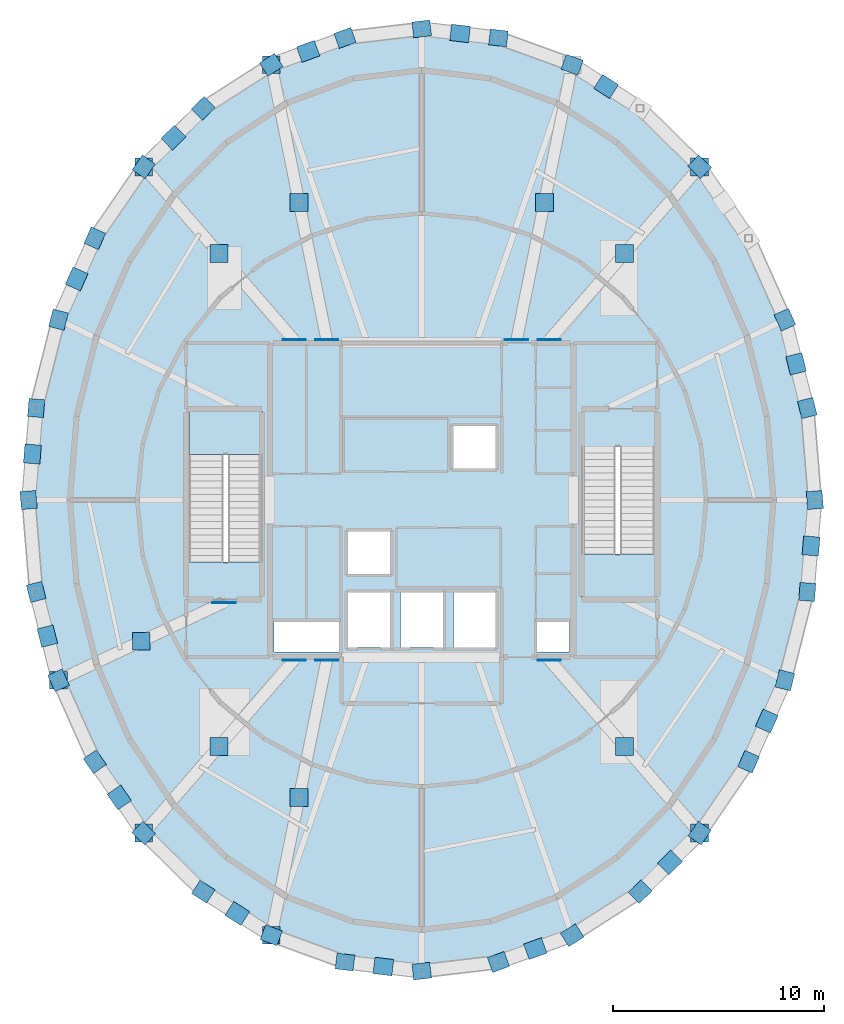
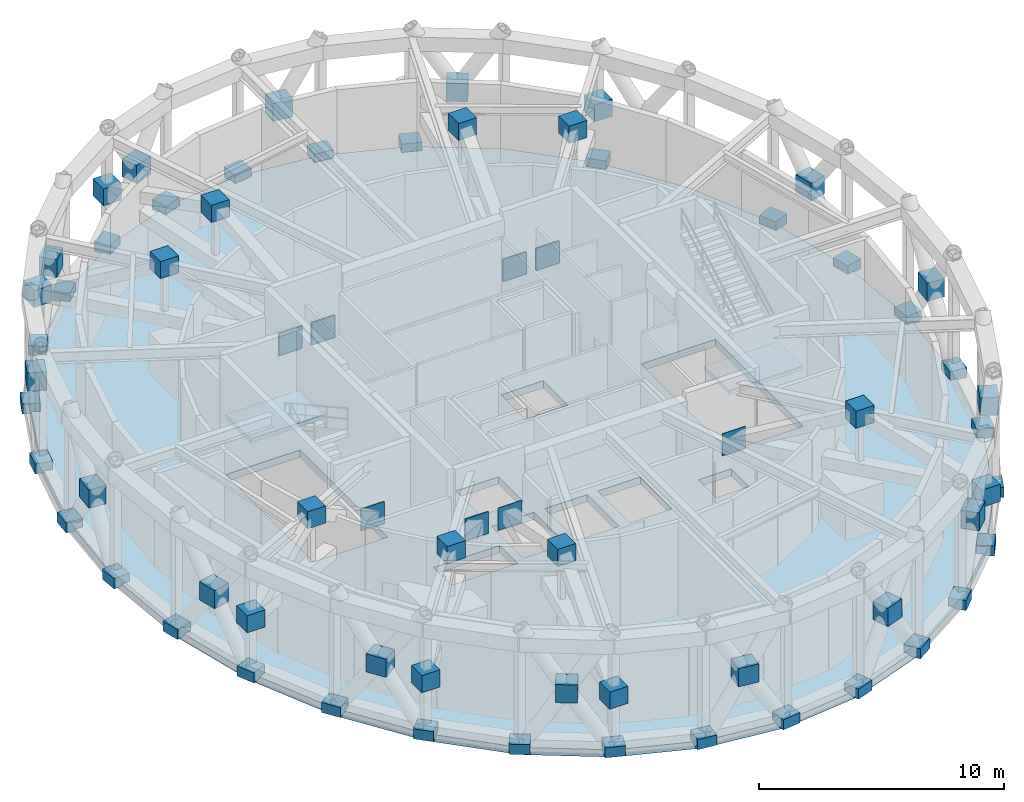
# One storey, part 5 of 11: 68 plates, 3 slabs, 2 elements without a shape of their own.
"""IFC4 building model written with IfcOpenShell, lengths in metres."""

from ifc_helpers import new_model, si_unit, direction, frame, origin, origin_2d, place, context, subcontext, project, spatial, polyline, rectangle, outline, extrude, material, layer, layer_set, type_object, element, aggregate, save


model = new_model("IFC4")

# Units and contexts
model_context = context("Model", 3, precision=1e-05, world=origin(), true_north=direction((0.0, 1.0)))
body_context = subcontext(model_context, "Body", "Model", "MODEL_VIEW")
ifc_project = project(units=[si_unit("LENGTHUNIT", "METRE"), si_unit("AREAUNIT", "SQUARE_METRE"), si_unit("VOLUMEUNIT", "CUBIC_METRE"), si_unit("PLANEANGLEUNIT", "RADIAN"), si_unit("MASSUNIT", "GRAM", prefix="KILO")], contexts=[model_context])

# Site, building, storey
site_placement = place(None, origin())
site = spatial("IfcSite", under=ifc_project, at=site_placement, CompositionType="ELEMENT")
building_placement = place(site_placement, origin())
building = spatial("IfcBuilding", under=site, at=building_placement, Name="Veldorina Hangang Commons", CompositionType="ELEMENT")
storey_placement = place(building_placement, frame((0.0, 0.0, 302.39990234375)))
storey = spatial("IfcBuildingStorey", under=building, at=storey_placement, Name="L79", CompositionType="ELEMENT", Elevation=302.39990234375)

# Plates
ifc_material_1 = material(Name="Steel SM490-TMC", Category="steel")
ifc_layer_1 = layer(ifc_material_1, 0.044921875)
ifc_layer_set_1 = layer_set([ifc_layer_1], Name="Steel SM490-TMC")
plate_type_1 = type_object("IfcPlateType", Name="PL-NODE-45", PredefinedType="SHEET", material=ifc_layer_set_1)
plate_1_placement = place(storey_placement, frame((38.050048828125, 31.60009765625, 2.300048828125), z_axis=(0.0, 0.0, 1.0), x_axis=(1.0, 0.0, 0.0)))
element("IfcPlate", 1, at=plate_1_placement, inside=storey, type_object=plate_type_1, Name="L79 outrigger cast-in wall embed plate 01", PredefinedType="SHEET", context=body_context, shape_type="SweptSolid", body=[
    extrude(rectangle(XDim=1.10009765625, YDim=0.044921875, at=origin_2d()), origin(), (0.0, 0.0, 1.0), 1.10009765625),
])
for number, where, z_axis, x_axis, name in (
    (2, (41.61865234375, 35.69189453125, 5.10498046875), (0.0, 0.0, 1.0), (1.0, 0.0, 0.0), "L79 outrigger node plate 01-MD"),
    (3, (45.1875, 39.8037109375, 2.425048828125), (0.0, 0.0, 1.0), (1.0, 0.0, 0.0), "L79 outrigger node plate 01-OT"),
):
    element("IfcPlate", number, at=place(storey_placement, frame(where, z_axis=z_axis, x_axis=x_axis)), inside=storey, type_object=plate_type_1, Name=name, PredefinedType="SHEET", context=body_context, shape_type="SweptSolid", body=[
        extrude(rectangle(XDim=0.85009765625, YDim=0.85009765625, at=origin_2d()), origin(), (0.0, 0.0, 1.0), 0.85009765625),
    ])
plate_2_placement = place(storey_placement, frame((36.5, 31.60009765625, 2.300048828125), z_axis=(0.0, 0.0, 1.0), x_axis=(1.0, 0.0, 0.0)))
element("IfcPlate", 4, at=plate_2_placement, inside=storey, type_object=plate_type_1, Name="L79 outrigger cast-in wall embed plate 02", PredefinedType="SHEET", context=body_context, shape_type="SweptSolid", body=[
    extrude(rectangle(XDim=1.10009765625, YDim=0.044921875, at=origin_2d()), origin(), (0.0, 0.0, 1.0), 1.10009765625),
])
plate_3_placement = place(storey_placement, frame((37.818603515625, 38.114501953125, 5.10498046875), z_axis=(0.0, 0.0, 1.0), x_axis=(1.0, 0.0, 0.0)))
element("IfcPlate", 5, at=plate_3_placement, inside=storey, type_object=plate_type_1, Name="L79 outrigger node plate 02-MD", PredefinedType="SHEET", context=body_context, shape_type="SweptSolid", body=[
    extrude(rectangle(XDim=0.85009765625, YDim=0.85009765625, at=origin_2d()), origin(), (0.0, 0.0, 1.0), 0.85009765625),
])
plate_4_placement = place(storey_placement, frame((27.5, 31.60009765625, 2.300048828125), z_axis=(0.0, 0.0, 1.0), x_axis=(1.0, 0.0, 0.0)))
element("IfcPlate", 6, at=plate_4_placement, inside=storey, type_object=plate_type_1, Name="L79 outrigger cast-in wall embed plate 03", PredefinedType="SHEET", context=body_context, shape_type="SweptSolid", body=[
    extrude(rectangle(XDim=1.10009765625, YDim=0.044921875, at=origin_2d()), origin(), (0.0, 0.0, 1.0), 1.10009765625),
])
for number, where, z_axis, x_axis, name in (
    (7, (26.181396484375, 38.114501953125, 5.10498046875), (0.0, 0.0, 1.0), (1.0, 0.0, 0.0), "L79 outrigger node plate 03-MD"),
    (8, (24.863037109375, 44.648681640625, 2.425048828125), (0.0, 0.0, 1.0), (1.0, 0.0, 0.0), "L79 outrigger node plate 03-OT"),
):
    element("IfcPlate", number, at=place(storey_placement, frame(where, z_axis=z_axis, x_axis=x_axis)), inside=storey, type_object=plate_type_1, Name=name, PredefinedType="SHEET", context=body_context, shape_type="SweptSolid", body=[
        extrude(rectangle(XDim=0.85009765625, YDim=0.85009765625, at=origin_2d()), origin(), (0.0, 0.0, 1.0), 0.85009765625),
    ])
plate_5_placement = place(storey_placement, frame((25.949951171875, 31.60009765625, 2.300048828125), z_axis=(0.0, 0.0, 1.0), x_axis=(1.0, 0.0, 0.0)))
element("IfcPlate", 9, at=plate_5_placement, inside=storey, type_object=plate_type_1, Name="L79 outrigger cast-in wall embed plate 04", PredefinedType="SHEET", context=body_context, shape_type="SweptSolid", body=[
    extrude(rectangle(XDim=1.10009765625, YDim=0.044921875, at=origin_2d()), origin(), (0.0, 0.0, 1.0), 1.10009765625),
])
for number, where, z_axis, x_axis, name in (
    (10, (22.38134765625, 35.69189453125, 5.10498046875), (0.0, 0.0, 1.0), (1.0, 0.0, 0.0), "L79 outrigger node plate 04-MD"),
    (11, (18.8125, 39.8037109375, 2.425048828125), (0.0, 0.0, 1.0), (1.0, 0.0, 0.0), "L79 outrigger node plate 04-OT"),
):
    element("IfcPlate", number, at=place(storey_placement, frame(where, z_axis=z_axis, x_axis=x_axis)), inside=storey, type_object=plate_type_1, Name=name, PredefinedType="SHEET", context=body_context, shape_type="SweptSolid", body=[
        extrude(rectangle(XDim=0.85009765625, YDim=0.85009765625, at=origin_2d()), origin(), (0.0, 0.0, 1.0), 0.85009765625),
    ])
plate_6_placement = place(storey_placement, frame((22.6201171875, 19.1298828125, 2.300048828125), z_axis=(0.0, 0.0, 1.0), x_axis=(1.0, 0.0, 0.0)))
element("IfcPlate", 12, at=plate_6_placement, inside=storey, type_object=plate_type_1, Name="L79 outrigger cast-in wall embed plate 05", PredefinedType="SHEET", context=body_context, shape_type="SweptSolid", body=[
    extrude(rectangle(XDim=1.10009765625, YDim=0.044921875, at=origin_2d()), origin(), (0.0, 0.0, 1.0), 1.10009765625),
])
for number, where, z_axis, x_axis, name in (
    (13, (18.69482421875, 17.298583984375, 5.10498046875), (0.0, 0.0, 1.0), (1.0, 0.0, 0.0), "L79 outrigger node plate 05-MD"),
    (14, (14.76953125, 15.447021484375, 2.425048828125), (0.0, 0.0, 1.0), (1.0, 0.0, 0.0), "L79 outrigger node plate 05-OT"),
):
    element("IfcPlate", number, at=place(storey_placement, frame(where, z_axis=z_axis, x_axis=x_axis)), inside=storey, type_object=plate_type_1, Name=name, PredefinedType="SHEET", context=body_context, shape_type="SweptSolid", body=[
        extrude(rectangle(XDim=0.85009765625, YDim=0.85009765625, at=origin_2d()), origin(), (0.0, 0.0, 1.0), 0.85009765625),
    ])
plate_7_placement = place(storey_placement, frame((25.949951171875, 16.39990234375, 2.300048828125), z_axis=(0.0, 0.0, 1.0), x_axis=(1.0, 0.0, 0.0)))
element("IfcPlate", 15, at=plate_7_placement, inside=storey, type_object=plate_type_1, Name="L79 outrigger cast-in wall embed plate 06", PredefinedType="SHEET", context=body_context, shape_type="SweptSolid", body=[
    extrude(rectangle(XDim=1.10009765625, YDim=0.044921875, at=origin_2d()), origin(), (0.0, 0.0, 1.0), 1.10009765625),
])
for number, where, z_axis, x_axis, name in (
    (16, (22.38134765625, 12.30810546875, 5.10498046875), (0.0, 0.0, 1.0), (1.0, 0.0, 0.0), "L79 outrigger node plate 06-MD"),
    (17, (18.8125, 8.1962890625, 2.425048828125), (0.0, 0.0, 1.0), (1.0, 0.0, 0.0), "L79 outrigger node plate 06-OT"),
):
    element("IfcPlate", number, at=place(storey_placement, frame(where, z_axis=z_axis, x_axis=x_axis)), inside=storey, type_object=plate_type_1, Name=name, PredefinedType="SHEET", context=body_context, shape_type="SweptSolid", body=[
        extrude(rectangle(XDim=0.85009765625, YDim=0.85009765625, at=origin_2d()), origin(), (0.0, 0.0, 1.0), 0.85009765625),
    ])
plate_8_placement = place(storey_placement, frame((27.5, 16.39990234375, 2.300048828125), z_axis=(0.0, 0.0, 1.0), x_axis=(1.0, 0.0, 0.0)))
element("IfcPlate", 18, at=plate_8_placement, inside=storey, type_object=plate_type_1, Name="L79 outrigger cast-in wall embed plate 07", PredefinedType="SHEET", context=body_context, shape_type="SweptSolid", body=[
    extrude(rectangle(XDim=1.10009765625, YDim=0.044921875, at=origin_2d()), origin(), (0.0, 0.0, 1.0), 1.10009765625),
])
for number, where, z_axis, x_axis, name in (
    (19, (26.181396484375, 9.8857421875, 5.10498046875), (0.0, 0.0, 1.0), (1.0, 0.0, 0.0), "L79 outrigger node plate 07-MD"),
    (20, (24.863037109375, 3.351318359375, 2.425048828125), (0.0, 0.0, 1.0), (1.0, 0.0, 0.0), "L79 outrigger node plate 07-OT"),
):
    element("IfcPlate", number, at=place(storey_placement, frame(where, z_axis=z_axis, x_axis=x_axis)), inside=storey, type_object=plate_type_1, Name=name, PredefinedType="SHEET", context=body_context, shape_type="SweptSolid", body=[
        extrude(rectangle(XDim=0.85009765625, YDim=0.85009765625, at=origin_2d()), origin(), (0.0, 0.0, 1.0), 0.85009765625),
    ])
plate_9_placement = place(storey_placement, frame((38.050048828125, 16.39990234375, 2.300048828125), z_axis=(0.0, 0.0, 1.0), x_axis=(1.0, 0.0, 0.0)))
element("IfcPlate", 21, at=plate_9_placement, inside=storey, type_object=plate_type_1, Name="L79 outrigger cast-in wall embed plate 08", PredefinedType="SHEET", context=body_context, shape_type="SweptSolid", body=[
    extrude(rectangle(XDim=1.10009765625, YDim=0.044921875, at=origin_2d()), origin(), (0.0, 0.0, 1.0), 1.10009765625),
])
for number, where, z_axis, x_axis, name in (
    (22, (41.61865234375, 12.30810546875, 5.10498046875), (0.0, 0.0, 1.0), (1.0, 0.0, 0.0), "L79 outrigger node plate 08-MD"),
    (23, (45.1875, 8.1962890625, 2.425048828125), (0.0, 0.0, 1.0), (1.0, 0.0, 0.0), "L79 outrigger node plate 08-OT"),
):
    element("IfcPlate", number, at=place(storey_placement, frame(where, z_axis=z_axis, x_axis=x_axis)), inside=storey, type_object=plate_type_1, Name=name, PredefinedType="SHEET", context=body_context, shape_type="SweptSolid", body=[
        extrude(rectangle(XDim=0.85009765625, YDim=0.85009765625, at=origin_2d()), origin(), (0.0, 0.0, 1.0), 0.85009765625),
    ])
ifc_material_2 = material(Name="Steel SM460-TMC", Category="steel")
ifc_layer_2 = layer(ifc_material_2, 0.035888671875)
ifc_layer_set_2 = layer_set([ifc_layer_2], Name="Steel SM460-TMC")
plate_type_2 = type_object("IfcPlateType", Name="PL-STAR-36", PredefinedType="USERDEFINED", material=ifc_layer_set_2)
for number, where, z_axis, x_axis, name in (
    (24, (50.64990234375, 24.0, -0.08984375), (0.0, 0.0, 1.0), (-0.081921114014, 0.996638816763, 0.0), "L79 diagrid star-node gusset plate 00"),
    (25, (50.29150390625, 28.3603515625, -0.08984375), (0.0, 0.0, 1.0), (-0.245375065334, 0.969428221846, 0.0), "L79 diagrid star-node gusset plate 01"),
):
    element("IfcPlate", number, at=place(storey_placement, frame(where, z_axis=z_axis, x_axis=x_axis)), inside=storey, type_object=plate_type_2, Name=name, ObjectType="GUSSET PLATE", PredefinedType="USERDEFINED", context=body_context, shape_type="SweptSolid", body=[
        extrude(rectangle(XDim=0.85009765625, YDim=0.75, at=origin_2d()), origin(), (0.0, 0.0, 1.0), 0.5),
    ])
plate_10_placement = place(storey_placement, frame((49.760986328125, 30.45654296875, 2.550048828125), z_axis=(0.0, 0.0, 1.0), x_axis=(-0.245375065334, 0.969428221846, 0.0)))
element("IfcPlate", 26, at=plate_10_placement, inside=storey, type_object=plate_type_2, Name="L79 diagrid X-crossing star-node gusset plate 01", ObjectType="GUSSET PLATE", PredefinedType="USERDEFINED", context=body_context, shape_type="SweptSolid", body=[
    extrude(rectangle(XDim=0.89990234375, YDim=0.780029296875, at=origin_2d()), origin(), (0.0, 0.0, 1.0), 0.89990234375),
])
for number, where, z_axis, x_axis, name in (
    (27, (49.23046875, 32.552978515625, -0.08984375), (0.0, 0.0, 1.0), (-0.407358379471, 0.91326838918, 0.0), "L79 diagrid star-node gusset plate 02"),
    (28, (45.1875, 39.8037109375, -0.08984375), (0.0, 0.0, 1.0), (-0.712956790403, 0.70120796845, 0.0), "L79 diagrid star-node gusset plate 04"),
):
    element("IfcPlate", number, at=place(storey_placement, frame(where, z_axis=z_axis, x_axis=x_axis)), inside=storey, type_object=plate_type_2, Name=name, ObjectType="GUSSET PLATE", PredefinedType="USERDEFINED", context=body_context, shape_type="SweptSolid", body=[
        extrude(rectangle(XDim=0.85009765625, YDim=0.75, at=origin_2d()), origin(), (0.0, 0.0, 1.0), 0.5),
    ])
plate_11_placement = place(storey_placement, frame((40.749267578125, 43.615966796875, 2.550048828125), z_axis=(0.0, 0.0, 1.0), x_axis=(-0.842057231086, 0.53938819006, 0.0)))
element("IfcPlate", 29, at=plate_11_placement, inside=storey, type_object=plate_type_2, Name="L79 diagrid X-crossing star-node gusset plate 05", ObjectType="GUSSET PLATE", PredefinedType="USERDEFINED", context=body_context, shape_type="SweptSolid", body=[
    extrude(rectangle(XDim=0.89990234375, YDim=0.780029296875, at=origin_2d()), origin(), (0.0, 0.0, 1.0), 0.89990234375),
])
for number, where, z_axis, x_axis, name in (
    (30, (39.136962890625, 44.648681640625, -0.08984375), (0.0, 0.0, 1.0), (-0.939817914595, 0.341675705027, 0.0), "L79 diagrid star-node gusset plate 06"),
    (31, (35.638427734375, 45.920654296875, -0.08984375), (0.0, 0.0, 1.0), (-0.993107379229, 0.11720807703, 0.0), "L79 diagrid star-node gusset plate 07"),
):
    element("IfcPlate", number, at=place(storey_placement, frame(where, z_axis=z_axis, x_axis=x_axis)), inside=storey, type_object=plate_type_2, Name=name, ObjectType="GUSSET PLATE", PredefinedType="USERDEFINED", context=body_context, shape_type="SweptSolid", body=[
        extrude(rectangle(XDim=0.85009765625, YDim=0.75, at=origin_2d()), origin(), (0.0, 0.0, 1.0), 0.5),
    ])
plate_12_placement = place(storey_placement, frame((33.819091796875, 46.13525390625, 2.550048828125), z_axis=(0.0, 0.0, 1.0), x_axis=(-0.993107379229, 0.11720807703, 0.0)))
element("IfcPlate", 32, at=plate_12_placement, inside=storey, type_object=plate_type_2, Name="L79 diagrid X-crossing star-node gusset plate 07", ObjectType="GUSSET PLATE", PredefinedType="USERDEFINED", context=body_context, shape_type="SweptSolid", body=[
    extrude(rectangle(XDim=0.89990234375, YDim=0.780029296875, at=origin_2d()), origin(), (0.0, 0.0, 1.0), 0.89990234375),
])
for number, where, z_axis, x_axis, name in (
    (33, (32.0, 46.35009765625, -0.08984375), (0.0, 0.0, 1.0), (-0.993107379229, -0.11720807703, 0.0), "L79 diagrid star-node gusset plate 08"),
    (34, (28.361572265625, 45.920654296875, -0.08984375), (0.0, 0.0, 1.0), (-0.939817914595, -0.341675705027, 0.0), "L79 diagrid star-node gusset plate 09"),
):
    element("IfcPlate", number, at=place(storey_placement, frame(where, z_axis=z_axis, x_axis=x_axis)), inside=storey, type_object=plate_type_2, Name=name, ObjectType="GUSSET PLATE", PredefinedType="USERDEFINED", context=body_context, shape_type="SweptSolid", body=[
        extrude(rectangle(XDim=0.85009765625, YDim=0.75, at=origin_2d()), origin(), (0.0, 0.0, 1.0), 0.5),
    ])
plate_13_placement = place(storey_placement, frame((26.6123046875, 45.28466796875, 2.550048828125), z_axis=(0.0, 0.0, 1.0), x_axis=(-0.939817914595, -0.341675705027, 0.0)))
element("IfcPlate", 35, at=plate_13_placement, inside=storey, type_object=plate_type_2, Name="L79 diagrid X-crossing star-node gusset plate 09", ObjectType="GUSSET PLATE", PredefinedType="USERDEFINED", context=body_context, shape_type="SweptSolid", body=[
    extrude(rectangle(XDim=0.89990234375, YDim=0.780029296875, at=origin_2d()), origin(), (0.0, 0.0, 1.0), 0.89990234375),
])
for number, where, z_axis, x_axis, name in (
    (36, (24.863037109375, 44.648681640625, -0.08984375), (0.0, 0.0, 1.0), (-0.842057231086, -0.53938819006, 0.0), "L79 diagrid star-node gusset plate 10"),
    (37, (21.638671875, 42.583251953125, -0.08984375), (0.0, 0.0, 1.0), (-0.712956790403, -0.70120796845, 0.0), "L79 diagrid star-node gusset plate 11"),
):
    element("IfcPlate", number, at=place(storey_placement, frame(where, z_axis=z_axis, x_axis=x_axis)), inside=storey, type_object=plate_type_2, Name=name, ObjectType="GUSSET PLATE", PredefinedType="USERDEFINED", context=body_context, shape_type="SweptSolid", body=[
        extrude(rectangle(XDim=0.85009765625, YDim=0.75, at=origin_2d()), origin(), (0.0, 0.0, 1.0), 0.5),
    ])
plate_14_placement = place(storey_placement, frame((20.2255859375, 41.193603515625, 2.550048828125), z_axis=(0.0, 0.0, 1.0), x_axis=(-0.712956790403, -0.70120796845, 0.0)))
element("IfcPlate", 38, at=plate_14_placement, inside=storey, type_object=plate_type_2, Name="L79 diagrid X-crossing star-node gusset plate 11", ObjectType="GUSSET PLATE", PredefinedType="USERDEFINED", context=body_context, shape_type="SweptSolid", body=[
    extrude(rectangle(XDim=0.89990234375, YDim=0.780029296875, at=origin_2d()), origin(), (0.0, 0.0, 1.0), 0.89990234375),
])
for number, where, z_axis, x_axis, name in (
    (39, (18.8125, 39.8037109375, -0.08984375), (0.0, 0.0, 1.0), (-0.56503900601, -0.825064192465, 0.0), "L79 diagrid star-node gusset plate 12"),
    (40, (16.4931640625, 36.4169921875, -0.08984375), (0.0, 0.0, 1.0), (-0.407358379471, -0.91326838918, 0.0), "L79 diagrid star-node gusset plate 13"),
):
    element("IfcPlate", number, at=place(storey_placement, frame(where, z_axis=z_axis, x_axis=x_axis)), inside=storey, type_object=plate_type_2, Name=name, ObjectType="GUSSET PLATE", PredefinedType="USERDEFINED", context=body_context, shape_type="SweptSolid", body=[
        extrude(rectangle(XDim=0.85009765625, YDim=0.75, at=origin_2d()), origin(), (0.0, 0.0, 1.0), 0.5),
    ])
plate_15_placement = place(storey_placement, frame((15.63134765625, 34.485107421875, 2.550048828125), z_axis=(0.0, 0.0, 1.0), x_axis=(-0.407358379471, -0.91326838918, 0.0)))
element("IfcPlate", 41, at=plate_15_placement, inside=storey, type_object=plate_type_2, Name="L79 diagrid X-crossing star-node gusset plate 13", ObjectType="GUSSET PLATE", PredefinedType="USERDEFINED", context=body_context, shape_type="SweptSolid", body=[
    extrude(rectangle(XDim=0.89990234375, YDim=0.780029296875, at=origin_2d()), origin(), (0.0, 0.0, 1.0), 0.89990234375),
])
for number, where, z_axis, x_axis, name in (
    (42, (14.76953125, 32.552978515625, -0.08984375), (0.0, 0.0, 1.0), (-0.245375065334, -0.969428221846, 0.0), "L79 diagrid star-node gusset plate 14"),
    (43, (13.70849609375, 28.3603515625, -0.08984375), (0.0, 0.0, 1.0), (-0.081921114014, -0.996638816763, 0.0), "L79 diagrid star-node gusset plate 15"),
):
    element("IfcPlate", number, at=place(storey_placement, frame(where, z_axis=z_axis, x_axis=x_axis)), inside=storey, type_object=plate_type_2, Name=name, ObjectType="GUSSET PLATE", PredefinedType="USERDEFINED", context=body_context, shape_type="SweptSolid", body=[
        extrude(rectangle(XDim=0.85009765625, YDim=0.75, at=origin_2d()), origin(), (0.0, 0.0, 1.0), 0.5),
    ])
plate_16_placement = place(storey_placement, frame((13.529296875, 26.18017578125, 2.550048828125), z_axis=(0.0, 0.0, 1.0), x_axis=(-0.081921114014, -0.996638816763, 0.0)))
element("IfcPlate", 44, at=plate_16_placement, inside=storey, type_object=plate_type_2, Name="L79 diagrid X-crossing star-node gusset plate 15", ObjectType="GUSSET PLATE", PredefinedType="USERDEFINED", context=body_context, shape_type="SweptSolid", body=[
    extrude(rectangle(XDim=0.89990234375, YDim=0.780029296875, at=origin_2d()), origin(), (0.0, 0.0, 1.0), 0.89990234375),
])
for number, where, z_axis, x_axis, name in (
    (45, (13.35009765625, 24.0, -0.08984375), (0.0, 0.0, 1.0), (0.081921114014, -0.996638816763, 0.0), "L79 diagrid star-node gusset plate 16"),
    (46, (13.70849609375, 19.6396484375, -0.08984375), (0.0, 0.0, 1.0), (0.245375065334, -0.969428221846, 0.0), "L79 diagrid star-node gusset plate 17"),
):
    element("IfcPlate", number, at=place(storey_placement, frame(where, z_axis=z_axis, x_axis=x_axis)), inside=storey, type_object=plate_type_2, Name=name, ObjectType="GUSSET PLATE", PredefinedType="USERDEFINED", context=body_context, shape_type="SweptSolid", body=[
        extrude(rectangle(XDim=0.85009765625, YDim=0.75, at=origin_2d()), origin(), (0.0, 0.0, 1.0), 0.5),
    ])
plate_17_placement = place(storey_placement, frame((14.239013671875, 17.54345703125, 2.550048828125), z_axis=(0.0, 0.0, 1.0), x_axis=(0.245375065334, -0.969428221846, 0.0)))
element("IfcPlate", 47, at=plate_17_placement, inside=storey, type_object=plate_type_2, Name="L79 diagrid X-crossing star-node gusset plate 17", ObjectType="GUSSET PLATE", PredefinedType="USERDEFINED", context=body_context, shape_type="SweptSolid", body=[
    extrude(rectangle(XDim=0.89990234375, YDim=0.780029296875, at=origin_2d()), origin(), (0.0, 0.0, 1.0), 0.89990234375),
])
for number, where, z_axis, x_axis, name in (
    (48, (14.76953125, 15.447021484375, -0.08984375), (0.0, 0.0, 1.0), (0.407358379471, -0.91326838918, 0.0), "L79 diagrid star-node gusset plate 18"),
    (49, (16.4931640625, 11.5830078125, -0.08984375), (0.0, 0.0, 1.0), (0.56503900601, -0.825064192465, 0.0), "L79 diagrid star-node gusset plate 19"),
):
    element("IfcPlate", number, at=place(storey_placement, frame(where, z_axis=z_axis, x_axis=x_axis)), inside=storey, type_object=plate_type_2, Name=name, ObjectType="GUSSET PLATE", PredefinedType="USERDEFINED", context=body_context, shape_type="SweptSolid", body=[
        extrude(rectangle(XDim=0.85009765625, YDim=0.75, at=origin_2d()), origin(), (0.0, 0.0, 1.0), 0.5),
    ])
plate_18_placement = place(storey_placement, frame((17.65283203125, 9.8896484375, 2.550048828125), z_axis=(0.0, 0.0, 1.0), x_axis=(0.56503900601, -0.825064192465, 0.0)))
element("IfcPlate", 50, at=plate_18_placement, inside=storey, type_object=plate_type_2, Name="L79 diagrid X-crossing star-node gusset plate 19", ObjectType="GUSSET PLATE", PredefinedType="USERDEFINED", context=body_context, shape_type="SweptSolid", body=[
    extrude(rectangle(XDim=0.89990234375, YDim=0.780029296875, at=origin_2d()), origin(), (0.0, 0.0, 1.0), 0.89990234375),
])
for number, where, z_axis, x_axis, name in (
    (51, (18.8125, 8.1962890625, -0.08984375), (0.0, 0.0, 1.0), (0.712956790403, -0.70120796845, 0.0), "L79 diagrid star-node gusset plate 20"),
    (52, (21.638671875, 5.416748046875, -0.08984375), (0.0, 0.0, 1.0), (0.842057231086, -0.53938819006, 0.0), "L79 diagrid star-node gusset plate 21"),
):
    element("IfcPlate", number, at=place(storey_placement, frame(where, z_axis=z_axis, x_axis=x_axis)), inside=storey, type_object=plate_type_2, Name=name, ObjectType="GUSSET PLATE", PredefinedType="USERDEFINED", context=body_context, shape_type="SweptSolid", body=[
        extrude(rectangle(XDim=0.85009765625, YDim=0.75, at=origin_2d()), origin(), (0.0, 0.0, 1.0), 0.5),
    ])
plate_19_placement = place(storey_placement, frame((23.250732421875, 4.384033203125, 2.550048828125), z_axis=(0.0, 0.0, 1.0), x_axis=(0.842057231086, -0.53938819006, 0.0)))
element("IfcPlate", 53, at=plate_19_placement, inside=storey, type_object=plate_type_2, Name="L79 diagrid X-crossing star-node gusset plate 21", ObjectType="GUSSET PLATE", PredefinedType="USERDEFINED", context=body_context, shape_type="SweptSolid", body=[
    extrude(rectangle(XDim=0.89990234375, YDim=0.780029296875, at=origin_2d()), origin(), (0.0, 0.0, 1.0), 0.89990234375),
])
for number, where, z_axis, x_axis, name in (
    (54, (24.863037109375, 3.351318359375, -0.08984375), (0.0, 0.0, 1.0), (0.939817914595, -0.341675705027, 0.0), "L79 diagrid star-node gusset plate 22"),
    (55, (28.361572265625, 2.079345703125, -0.08984375), (0.0, 0.0, 1.0), (0.993107379229, -0.11720807703, 0.0), "L79 diagrid star-node gusset plate 23"),
):
    element("IfcPlate", number, at=place(storey_placement, frame(where, z_axis=z_axis, x_axis=x_axis)), inside=storey, type_object=plate_type_2, Name=name, ObjectType="GUSSET PLATE", PredefinedType="USERDEFINED", context=body_context, shape_type="SweptSolid", body=[
        extrude(rectangle(XDim=0.85009765625, YDim=0.75, at=origin_2d()), origin(), (0.0, 0.0, 1.0), 0.5),
    ])
plate_20_placement = place(storey_placement, frame((30.180908203125, 1.86474609375, 2.550048828125), z_axis=(0.0, 0.0, 1.0), x_axis=(0.993107379229, -0.11720807703, 0.0)))
element("IfcPlate", 56, at=plate_20_placement, inside=storey, type_object=plate_type_2, Name="L79 diagrid X-crossing star-node gusset plate 23", ObjectType="GUSSET PLATE", PredefinedType="USERDEFINED", context=body_context, shape_type="SweptSolid", body=[
    extrude(rectangle(XDim=0.89990234375, YDim=0.780029296875, at=origin_2d()), origin(), (0.0, 0.0, 1.0), 0.89990234375),
])
for number, where, z_axis, x_axis, name in (
    (57, (32.0, 1.64990234375, -0.08984375), (0.0, 0.0, 1.0), (0.993107379229, 0.11720807703, 0.0), "L79 diagrid star-node gusset plate 24"),
    (58, (35.638427734375, 2.079345703125, -0.08984375), (0.0, 0.0, 1.0), (0.939817914595, 0.341675705027, 0.0), "L79 diagrid star-node gusset plate 25"),
):
    element("IfcPlate", number, at=place(storey_placement, frame(where, z_axis=z_axis, x_axis=x_axis)), inside=storey, type_object=plate_type_2, Name=name, ObjectType="GUSSET PLATE", PredefinedType="USERDEFINED", context=body_context, shape_type="SweptSolid", body=[
        extrude(rectangle(XDim=0.85009765625, YDim=0.75, at=origin_2d()), origin(), (0.0, 0.0, 1.0), 0.5),
    ])
plate_21_placement = place(storey_placement, frame((37.3876953125, 2.71533203125, 2.550048828125), z_axis=(0.0, 0.0, 1.0), x_axis=(0.939817914595, 0.341675705027, 0.0)))
element("IfcPlate", 59, at=plate_21_placement, inside=storey, type_object=plate_type_2, Name="L79 diagrid X-crossing star-node gusset plate 25", ObjectType="GUSSET PLATE", PredefinedType="USERDEFINED", context=body_context, shape_type="SweptSolid", body=[
    extrude(rectangle(XDim=0.89990234375, YDim=0.780029296875, at=origin_2d()), origin(), (0.0, 0.0, 1.0), 0.89990234375),
])
for number, where, z_axis, x_axis, name in (
    (60, (39.136962890625, 3.351318359375, -0.08984375), (0.0, 0.0, 1.0), (0.842057231086, 0.53938819006, 0.0), "L79 diagrid star-node gusset plate 26"),
    (61, (42.361328125, 5.416748046875, -0.08984375), (0.0, 0.0, 1.0), (0.712956790403, 0.70120796845, 0.0), "L79 diagrid star-node gusset plate 27"),
):
    element("IfcPlate", number, at=place(storey_placement, frame(where, z_axis=z_axis, x_axis=x_axis)), inside=storey, type_object=plate_type_2, Name=name, ObjectType="GUSSET PLATE", PredefinedType="USERDEFINED", context=body_context, shape_type="SweptSolid", body=[
        extrude(rectangle(XDim=0.85009765625, YDim=0.75, at=origin_2d()), origin(), (0.0, 0.0, 1.0), 0.5),
    ])
plate_22_placement = place(storey_placement, frame((43.7744140625, 6.806396484375, 2.550048828125), z_axis=(0.0, 0.0, 1.0), x_axis=(0.712956790403, 0.70120796845, 0.0)))
element("IfcPlate", 62, at=plate_22_placement, inside=storey, type_object=plate_type_2, Name="L79 diagrid X-crossing star-node gusset plate 27", ObjectType="GUSSET PLATE", PredefinedType="USERDEFINED", context=body_context, shape_type="SweptSolid", body=[
    extrude(rectangle(XDim=0.89990234375, YDim=0.780029296875, at=origin_2d()), origin(), (0.0, 0.0, 1.0), 0.89990234375),
])
for number, where, z_axis, x_axis, name in (
    (63, (45.1875, 8.1962890625, -0.08984375), (0.0, 0.0, 1.0), (0.56503900601, 0.825064192465, 0.0), "L79 diagrid star-node gusset plate 28"),
    (64, (47.5068359375, 11.5830078125, -0.08984375), (0.0, 0.0, 1.0), (0.407358379471, 0.91326838918, 0.0), "L79 diagrid star-node gusset plate 29"),
):
    element("IfcPlate", number, at=place(storey_placement, frame(where, z_axis=z_axis, x_axis=x_axis)), inside=storey, type_object=plate_type_2, Name=name, ObjectType="GUSSET PLATE", PredefinedType="USERDEFINED", context=body_context, shape_type="SweptSolid", body=[
        extrude(rectangle(XDim=0.85009765625, YDim=0.75, at=origin_2d()), origin(), (0.0, 0.0, 1.0), 0.5),
    ])
plate_23_placement = place(storey_placement, frame((48.36865234375, 13.514892578125, 2.550048828125), z_axis=(0.0, 0.0, 1.0), x_axis=(0.407358379471, 0.91326838918, 0.0)))
element("IfcPlate", 65, at=plate_23_placement, inside=storey, type_object=plate_type_2, Name="L79 diagrid X-crossing star-node gusset plate 29", ObjectType="GUSSET PLATE", PredefinedType="USERDEFINED", context=body_context, shape_type="SweptSolid", body=[
    extrude(rectangle(XDim=0.89990234375, YDim=0.780029296875, at=origin_2d()), origin(), (0.0, 0.0, 1.0), 0.89990234375),
])
for number, where, z_axis, x_axis, name in (
    (66, (49.23046875, 15.447021484375, -0.08984375), (0.0, 0.0, 1.0), (0.245375065334, 0.969428221846, 0.0), "L79 diagrid star-node gusset plate 30"),
    (67, (50.29150390625, 19.6396484375, -0.08984375), (0.0, 0.0, 1.0), (0.081921114014, 0.996638816763, 0.0), "L79 diagrid star-node gusset plate 31"),
):
    element("IfcPlate", number, at=place(storey_placement, frame(where, z_axis=z_axis, x_axis=x_axis)), inside=storey, type_object=plate_type_2, Name=name, ObjectType="GUSSET PLATE", PredefinedType="USERDEFINED", context=body_context, shape_type="SweptSolid", body=[
        extrude(rectangle(XDim=0.85009765625, YDim=0.75, at=origin_2d()), origin(), (0.0, 0.0, 1.0), 0.5),
    ])
plate_24_placement = place(storey_placement, frame((50.470703125, 21.81982421875, 2.550048828125), z_axis=(0.0, 0.0, 1.0), x_axis=(0.081921114014, 0.996638816763, 0.0)))
element("IfcPlate", 68, at=plate_24_placement, inside=storey, type_object=plate_type_2, Name="L79 diagrid X-crossing star-node gusset plate 31", ObjectType="GUSSET PLATE", PredefinedType="USERDEFINED", context=body_context, shape_type="SweptSolid", body=[
    extrude(rectangle(XDim=0.89990234375, YDim=0.780029296875, at=origin_2d()), origin(), (0.0, 0.0, 1.0), 0.89990234375),
])

# Slab
ifc_material_3 = material(Name="Concrete C50/60", Category="concrete")
ifc_layer_3 = layer(ifc_material_3, 0.360107421875)
ifc_layer_set_3 = layer_set([ifc_layer_3], Name="Concrete C50/60")
slab_type_1 = type_object("IfcSlabType", Name="SL-FLR-360", PredefinedType="FLOOR", material=ifc_layer_set_3)
slab_1_placement = place(storey_placement, frame((0.0, 0.0, -0.35986328125)))
element("IfcSlab", 69, at=slab_1_placement, inside=storey, type_object=slab_type_1, Name="L79 tower structural floor slab", PredefinedType="FLOOR", context=body_context, shape_type="SweptSolid", body=[
    extrude(outline(polyline([(50.64990234375, 24.0), (50.29150390625, 28.3603515625), (49.23046875, 32.552978515625), (47.5068359375, 36.4169921875), (45.1875, 39.8037109375), (42.361328125, 42.583251953125), (39.136962890625, 44.648681640625), (35.638427734375, 45.920654296875), (32.0, 46.35009765625), (28.361572265625, 45.920654296875), (24.863037109375, 44.648681640625), (21.638671875, 42.583251953125), (18.8125, 39.8037109375), (16.4931640625, 36.4169921875), (14.76953125, 32.552978515625), (13.70849609375, 28.3603515625), (13.35009765625, 24.0), (13.70849609375, 19.6396484375), (14.76953125, 15.447021484375), (16.4931640625, 11.5830078125), (18.8125, 8.1962890625), (21.638671875, 5.416748046875), (24.863037109375, 3.351318359375), (28.361572265625, 2.079345703125), (32.0, 1.64990234375), (35.638427734375, 2.079345703125), (39.136962890625, 3.351318359375), (42.361328125, 5.416748046875), (45.1875, 8.1962890625), (47.5068359375, 11.5830078125), (49.23046875, 15.447021484375), (50.29150390625, 19.6396484375), (50.64990234375, 24.0)]), holes=[polyline([(20.949951171875, 21.05810546875), (20.949951171875, 28.199951171875), (24.449951171875, 28.199951171875), (24.449951171875, 21.05810546875), (20.949951171875, 21.05810546875)]), polyline([(43.050048828125, 26.5419921875), (43.050048828125, 19.39990234375), (39.550048828125, 19.39990234375), (39.550048828125, 26.5419921875), (43.050048828125, 26.5419921875)]), polyline([(33.5, 27.5), (35.5, 27.5), (35.5, 25.5), (33.5, 25.5), (33.5, 27.5)]), polyline([(28.5, 22.5), (30.5, 22.5), (30.5, 20.5), (28.5, 20.5), (28.5, 22.5)]), polyline([(28.5, 19.60009765625), (30.5, 19.60009765625), (30.5, 17.0), (28.5, 17.0), (28.5, 19.60009765625)]), polyline([(31.0, 19.60009765625), (33.0, 19.60009765625), (33.0, 17.0), (31.0, 17.0), (31.0, 19.60009765625)]), polyline([(33.5, 19.60009765625), (35.5, 19.60009765625), (35.5, 17.0), (33.5, 17.0), (33.5, 19.60009765625)]), polyline([(25.0, 18.25), (28.10009765625, 18.25), (28.10009765625, 16.800048828125), (25.0, 16.800048828125), (25.0, 18.25)]), polyline([(37.449951171875, 18.25), (39.0, 18.25), (39.0, 16.800048828125), (37.449951171875, 16.800048828125), (37.449951171875, 18.25)])]), origin(), (0.0, 0.0, 1.0), 0.35986328125),
])

# Stair, slab
ifc_material_4 = material(Name="Concrete C40/50", Category="concrete")
stair_type = type_object("IfcStairType", Name="STR-DOG-1650-34R", PredefinedType="HALF_TURN_STAIR", material=ifc_material_4)
stair_1_placement = place(storey_placement, origin())
stair_1 = element("IfcStair", 70, at=stair_1_placement, inside=storey, type_object=stair_type, Name="L79 Exit stair ST-1", PredefinedType="HALF_TURN_STAIR")
ifc_layer_4 = layer(ifc_material_4, 0.199951171875)
ifc_layer_set_4 = layer_set([ifc_layer_4], Name="Concrete C40/50")
slab_type_2 = type_object("IfcSlabType", Name="SL-LND-200", PredefinedType="LANDING", material=ifc_layer_set_4)
slab_2_placement = place(storey_placement, frame((0.0, 0.0, 2.800048828125)))
slab_2 = element("IfcSlab", 71, at=slab_2_placement, type_object=slab_type_2, Name="ST-1 landing 1", PredefinedType="LANDING", context=body_context, shape_type="SweptSolid", body=[
    extrude(outline(polyline([(24.449951171875, 26.169921875), (24.449951171875, 28.199951171875), (20.949951171875, 28.199951171875), (20.949951171875, 26.169921875), (24.449951171875, 26.169921875)])), origin(), (0.0, 0.0, 1.0), 0.199951171875),
])
aggregate(stair_1, [slab_2])

stair_2_placement = place(storey_placement, origin())
stair_2 = element("IfcStair", 72, at=stair_2_placement, inside=storey, type_object=stair_type, Name="L79 Exit stair ST-2", PredefinedType="HALF_TURN_STAIR")
slab_3_placement = place(storey_placement, frame((0.0, 0.0, 2.800048828125)))
slab_3 = element("IfcSlab", 73, at=slab_3_placement, type_object=slab_type_2, Name="ST-2 landing 1", PredefinedType="LANDING", context=body_context, shape_type="SweptSolid", body=[
    extrude(outline(polyline([(39.550048828125, 21.429931640625), (39.550048828125, 19.39990234375), (43.050048828125, 19.39990234375), (43.050048828125, 21.429931640625), (39.550048828125, 21.429931640625)])), origin(), (0.0, 0.0, 1.0), 0.199951171875),
])
aggregate(stair_2, [slab_3])

save(model, "model.ifc")
